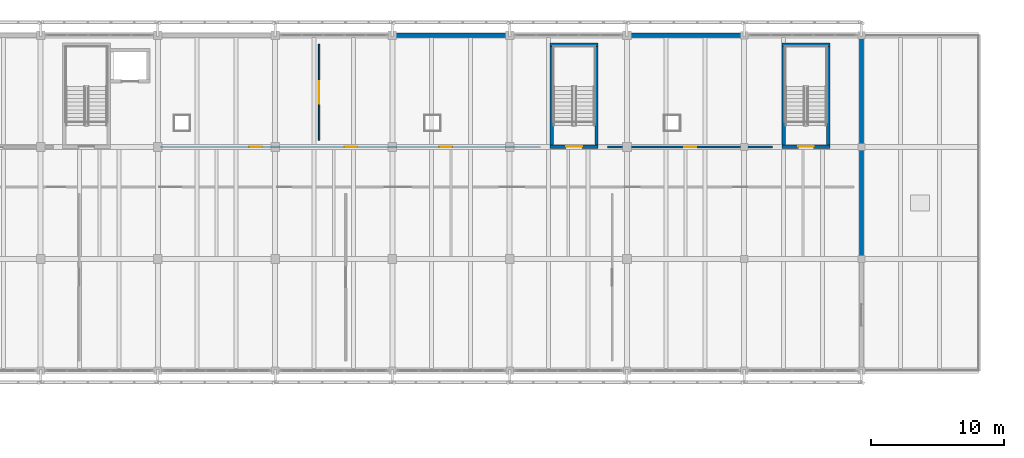
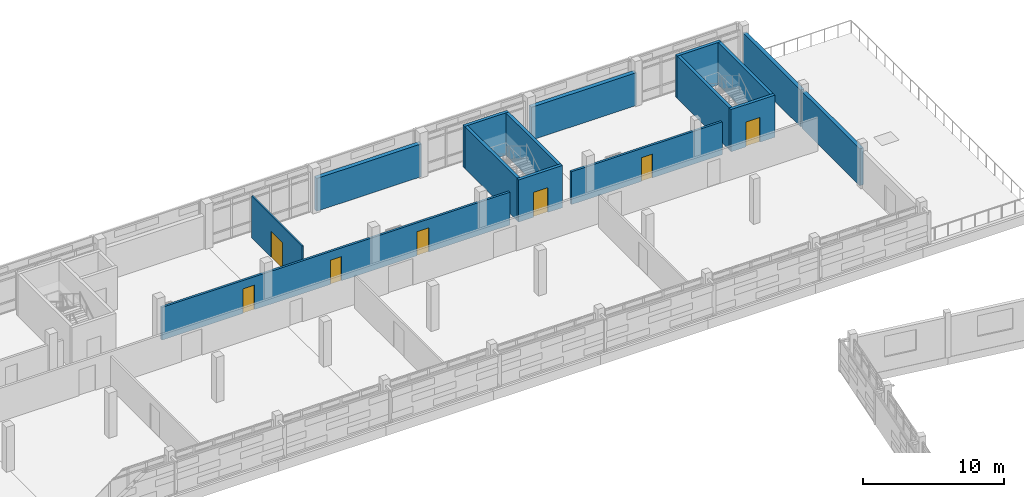
# One storey, part 101 of 117: 15 walls, 7 doors, 7 openings.
"""IFC4 building model written with IfcOpenShell, lengths in metres."""

from ifc_helpers import new_model, si_unit, direction, frame, frame_2d, origin, place, context, subcontext, project, spatial, rectangle, extrude, material, layer, layer_set, type_object, element, fill, save


model = new_model("IFC4")

# Units and contexts
model_context = context("Model", 3, precision=1e-05, world=origin(), true_north=direction((0.0, 1.0)))
body_context = subcontext(model_context, "Body", "Model", "MODEL_VIEW")
ifc_project = project(units=[si_unit("LENGTHUNIT", "METRE"), si_unit("AREAUNIT", "SQUARE_METRE"), si_unit("VOLUMEUNIT", "CUBIC_METRE"), si_unit("PLANEANGLEUNIT", "RADIAN"), si_unit("MASSUNIT", "GRAM", prefix="KILO")], contexts=[model_context])

# Site, building, storey
site_placement = place(None, origin())
site = spatial("IfcSite", under=ifc_project, at=site_placement, CompositionType="ELEMENT")
building_placement = place(site_placement, origin())
building = spatial("IfcBuilding", under=site, at=building_placement, Name="Cinderway Yard Community Centre", CompositionType="ELEMENT")
storey_placement = place(building_placement, frame((0.0, 0.0, 9.0)))
storey = spatial("IfcBuildingStorey", under=building, at=storey_placement, Name="L02", CompositionType="ELEMENT", Elevation=9.0)

# Walls
ifc_material_1 = material(Name="Brick Masonry", Category="masonry")
ifc_layer_1 = layer(ifc_material_1, 0.300048828125, Name="Brick Masonry")
ifc_layer_set_1 = layer_set([ifc_layer_1], Name="Brick Masonry")
wall_type_1 = type_object("IfcWallType", Name="ENV-WAL-EXT300", PredefinedType="SOLIDWALL", material=ifc_layer_set_1)
wall_1_placement = place(storey_placement, frame((136.800048828125, 98.5, 0.0), z_axis=(0.0, 0.0, 1.0), x_axis=(0.0, 1.0, 0.0)))
element("IfcWall", 1, at=wall_1_placement, inside=storey, type_object=wall_type_1, Name="V4 East End Wall ENV-WAL-L02-0164", PredefinedType="SOLIDWALL", context=body_context, shape_type="SweptSolid", body=[
    extrude(rectangle(XDim=8.199951171875, YDim=0.300048828125, at=frame_2d((4.10009765625, 0.0))), origin(), (0.0, 0.0, 1.0), 3.195068359375),
])
wall_2_placement = place(storey_placement, frame((136.800048828125, 106.89990234375, 0.0), z_axis=(0.0, 0.0, 1.0), x_axis=(0.0, 1.0, 0.0)))
element("IfcWall", 2, at=wall_2_placement, inside=storey, type_object=wall_type_1, Name="V4 East End Wall ENV-WAL-L02-0165", PredefinedType="SOLIDWALL", context=body_context, shape_type="SweptSolid", body=[
    extrude(rectangle(XDim=8.2001953125, YDim=0.300048828125, at=frame_2d((4.10009765625, 0.0))), origin(), (0.0, 0.0, 1.0), 3.195068359375),
])
ifc_layer_2 = layer(ifc_material_1, 0.340087890625, Name="Brick Masonry")
ifc_layer_set_2 = layer_set([ifc_layer_2], Name="Brick Masonry")
wall_type_2 = type_object("IfcWallType", Name="ENV-WAL-EXT340", PredefinedType="SOLIDWALL", material=ifc_layer_set_2)
wall_3_placement = place(storey_placement, frame((101.699951171875, 115.199951171875, 0.0), z_axis=(0.0, 0.0, 1.0), x_axis=(1.0, 0.0, 0.0)))
element("IfcWall", 3, at=wall_3_placement, inside=storey, type_object=wall_type_2, Name="V4 Street Brick Facade Wall ENV-WAL-L02-0159", PredefinedType="SOLIDWALL", context=body_context, shape_type="SweptSolid", body=[
    extrude(rectangle(XDim=8.60009765625, YDim=0.340087890625, at=frame_2d((4.300048828125, 0.0))), origin(), (0.0, 0.0, 1.0), 2.844970703125),
])
wall_4_placement = place(storey_placement, frame((119.300048828125, 115.199951171875, 0.0), z_axis=(0.0, 0.0, 1.0), x_axis=(1.0, 0.0, 0.0)))
element("IfcWall", 4, at=wall_4_placement, inside=storey, type_object=wall_type_2, Name="V4 Street Brick Facade Wall ENV-WAL-L02-0160", PredefinedType="SOLIDWALL", context=body_context, shape_type="SweptSolid", body=[
    extrude(rectangle(XDim=8.599853515625, YDim=0.340087890625, at=frame_2d((4.2998046875, 0.0))), origin(), (0.0, 0.0, 1.0), 2.844970703125),
])

# Wall, opening, door
ifc_material_2 = material(Name="Gypsum Board Partition", Category="gypsum")
ifc_layer_3 = layer(ifc_material_2, 0.1201171875, Name="Gypsum Board Partition")
ifc_layer_set_3 = layer_set([ifc_layer_3], Name="Gypsum Board Partition")
wall_type_3 = type_object("IfcWallType", Name="INT-WAL-PRT120", PredefinedType="PARTITIONING", material=ifc_layer_set_3)
wall_5_placement = place(storey_placement, frame((96.10009765625, 107.300048828125, 0.0), z_axis=(0.0, 0.0, 1.0), x_axis=(0.0, 1.0, 0.0)))
wall_5 = element("IfcWall", 5, at=wall_5_placement, inside=storey, type_object=wall_type_3, Name="V4 L02 North Room Partition INT-PRT-L02-0315", PredefinedType="PARTITIONING", context=body_context, shape_type="SweptSolid", body=[
    extrude(rectangle(XDim=7.199951171875, YDim=0.1201171875, at=frame_2d((3.60009765625, 0.0))), origin(), (0.0, 0.0, 1.0), 3.64501953125),
])
opening_1_placement = place(wall_5_placement, frame((2.760009765625, 0.0, 0.0)))
opening_1 = element("IfcOpeningElement", 6, at=opening_1_placement, cuts=wall_5, Name="Opening D-16", PredefinedType="OPENING", context=body_context, shape_type="SweptSolid", body=[
    extrude(rectangle(XDim=1.679931640625, YDim=2.260009765625, at=frame_2d((0.83984375, 1.1298828125))), frame((0.0, 0.070068359375, 0.0), z_axis=(0.0, -1.0, 0.0), x_axis=(1.0, 0.0, 0.0)), (0.0, 0.0, 1.0), 0.14013671875),
])
ifc_material_3 = material(Name="Hardwood Timber", Category="wood")
door_type_1 = type_object("IfcDoorType", Name="INT-DOR-LIB168", OperationType="DOUBLE_DOOR_SINGLE_SWING", PredefinedType="DOOR", material=ifc_material_3)
door_1_placement = place(opening_1_placement, origin())
door_1 = element("IfcDoor", 7, at=door_1_placement, inside=storey, type_object=door_type_1, Name="Room door INT-DOR-L02-0229", OperationType="DOUBLE_DOOR_SINGLE_SWING", OverallHeight=2.260009765625, OverallWidth=1.679931640625, PredefinedType="DOOR", context=body_context, shape_type="SweptSolid", body=[
    extrude(rectangle(XDim=1.679931640625, YDim=2.260009765625, at=frame_2d((0.83984375, 1.1298828125))), frame((0.0, 0.02490234375, 0.0), z_axis=(0.0, -1.0, 0.0), x_axis=(1.0, 0.0, 0.0)), (0.0, 0.0, 1.0), 0.050048828125),
])
fill(opening_1, door_1)

# Wall, openings, doors
ifc_layer_4 = layer(ifc_material_1, 0.179931640625, Name="Brick Masonry")
ifc_layer_set_4 = layer_set([ifc_layer_4], Name="Brick Masonry")
wall_type_4 = type_object("IfcWallType", Name="INT-WAL-PRT180", PredefinedType="PARTITIONING", material=ifc_layer_set_4)
wall_6_placement = place(storey_placement, frame((84.199951171875, 106.800048828125, 0.0), z_axis=(0.0, 0.0, 1.0), x_axis=(1.0, 0.0, 0.0)))
wall_6 = element("IfcWall", 8, at=wall_6_placement, inside=storey, type_object=wall_type_4, Name="V4 L02 North Corridor Spine INT-PRT-L02-0308", PredefinedType="PARTITIONING", context=body_context, shape_type="SweptSolid", body=[
    extrude(rectangle(XDim=28.530029296875, YDim=0.179931640625, at=frame_2d((14.26513671875, 0.0))), origin(), (0.0, 0.0, 1.0), 2.844970703125),
])
opening_2_placement = place(wall_6_placement, frame((6.657958984375, 0.0, 0.0)))
opening_2 = element("IfcOpeningElement", 9, at=opening_2_placement, cuts=wall_6, Name="Opening D-07", PredefinedType="OPENING", context=body_context, shape_type="SweptSolid", body=[
    extrude(rectangle(XDim=0.949951171875, YDim=2.1201171875, at=frame_2d((0.47509765625, 1.06005859375))), frame((0.0, 0.099853515625, 0.0), z_axis=(0.0, -1.0, 0.0), x_axis=(1.0, 0.0, 0.0)), (0.0, 0.0, 1.0), 0.199951171875),
])
opening_3_placement = place(wall_6_placement, frame((13.804931640625, 0.0, 0.0)))
opening_3 = element("IfcOpeningElement", 10, at=opening_3_placement, cuts=wall_6, Name="Opening D-08", PredefinedType="OPENING", context=body_context, shape_type="SweptSolid", body=[
    extrude(rectangle(XDim=0.919921875, YDim=2.10009765625, at=frame_2d((0.4599609375, 1.050048828125))), frame((0.0, 0.099853515625, 0.0), z_axis=(0.0, -1.0, 0.0), x_axis=(1.0, 0.0, 0.0)), (0.0, 0.0, 1.0), 0.199951171875),
])
opening_4_placement = place(wall_6_placement, frame((20.9169921875, 0.0, 0.0)))
opening_4 = element("IfcOpeningElement", 11, at=opening_4_placement, cuts=wall_6, Name="Opening D-09", PredefinedType="OPENING", context=body_context, shape_type="SweptSolid", body=[
    extrude(rectangle(XDim=0.9599609375, YDim=2.080078125, at=frame_2d((0.47998046875, 1.0400390625))), frame((0.0, 0.099853515625, 0.0), z_axis=(0.0, -1.0, 0.0), x_axis=(1.0, 0.0, 0.0)), (0.0, 0.0, 1.0), 0.199951171875),
])
door_type_2 = type_object("IfcDoorType", Name="INT-DOR-OFF092", OperationType="NOTDEFINED", PredefinedType="DOOR", material=ifc_material_3)
door_2_placement = place(opening_3_placement, origin())
door_2 = element("IfcDoor", 12, at=door_2_placement, inside=storey, type_object=door_type_2, Name="Room door INT-DOR-L02-0221", OperationType="SINGLE_SWING_RIGHT", OverallHeight=2.10009765625, OverallWidth=0.919921875, PredefinedType="DOOR", context=body_context, shape_type="SweptSolid", body=[
    extrude(rectangle(XDim=0.919921875, YDim=2.10009765625, at=frame_2d((0.4599609375, 1.050048828125))), frame((0.0, 0.02490234375, 0.0), z_axis=(0.0, -1.0, 0.0), x_axis=(1.0, 0.0, 0.0)), (0.0, 0.0, 1.0), 0.050048828125),
])
fill(opening_3, door_2)
door_type_3 = type_object("IfcDoorType", Name="INT-DOR-OFF095", OperationType="NOTDEFINED", PredefinedType="DOOR", material=ifc_material_3)
door_3_placement = place(opening_2_placement, origin())
door_3 = element("IfcDoor", 13, at=door_3_placement, inside=storey, type_object=door_type_3, Name="Room door INT-DOR-L02-0220", OperationType="SINGLE_SWING_LEFT", OverallHeight=2.1201171875, OverallWidth=0.949951171875, PredefinedType="DOOR", context=body_context, shape_type="SweptSolid", body=[
    extrude(rectangle(XDim=0.949951171875, YDim=2.1201171875, at=frame_2d((0.47509765625, 1.06005859375))), frame((0.0, 0.02490234375, 0.0), z_axis=(0.0, -1.0, 0.0), x_axis=(1.0, 0.0, 0.0)), (0.0, 0.0, 1.0), 0.050048828125),
])
fill(opening_2, door_3)
door_type_4 = type_object("IfcDoorType", Name="INT-DOR-SAN096", OperationType="NOTDEFINED", PredefinedType="DOOR", material=ifc_material_3)
door_4_placement = place(opening_4_placement, origin())
door_4 = element("IfcDoor", 14, at=door_4_placement, inside=storey, type_object=door_type_4, Name="Room door INT-DOR-L02-0222", OperationType="SINGLE_SWING_LEFT", OverallHeight=2.080078125, OverallWidth=0.9599609375, PredefinedType="DOOR", context=body_context, shape_type="SweptSolid", body=[
    extrude(rectangle(XDim=0.9599609375, YDim=2.080078125, at=frame_2d((0.47998046875, 1.0400390625))), frame((0.0, 0.02490234375, 0.0), z_axis=(0.0, -1.0, 0.0), x_axis=(1.0, 0.0, 0.0)), (0.0, 0.0, 1.0), 0.050048828125),
])
fill(opening_4, door_4)

# Wall, opening, door
wall_7_placement = place(storey_placement, frame((117.75, 106.800048828125, 0.0), z_axis=(0.0, 0.0, 1.0), x_axis=(1.0, 0.0, 0.0)))
wall_7 = element("IfcWall", 15, at=wall_7_placement, inside=storey, type_object=wall_type_4, Name="V4 L02 North Corridor Spine INT-PRT-L02-0309", PredefinedType="PARTITIONING", context=body_context, shape_type="SweptSolid", body=[
    extrude(rectangle(XDim=12.3798828125, YDim=0.179931640625, at=frame_2d((6.18994140625, 0.0))), origin(), (0.0, 0.0, 1.0), 2.844970703125),
])
opening_5_placement = place(wall_7_placement, frame((5.739990234375, 0.0, 0.0)))
opening_5 = element("IfcOpeningElement", 16, at=opening_5_placement, cuts=wall_7, Name="Opening D-10", PredefinedType="OPENING", context=body_context, shape_type="SweptSolid", body=[
    extrude(rectangle(XDim=0.89990234375, YDim=2.06005859375, at=frame_2d((0.449951171875, 1.030029296875))), frame((0.0, 0.099853515625, 0.0), z_axis=(0.0, -1.0, 0.0), x_axis=(1.0, 0.0, 0.0)), (0.0, 0.0, 1.0), 0.199951171875),
])
door_type_5 = type_object("IfcDoorType", Name="INT-DOR-SAN090", OperationType="NOTDEFINED", PredefinedType="DOOR", material=ifc_material_3)
door_5_placement = place(opening_5_placement, origin())
door_5 = element("IfcDoor", 17, at=door_5_placement, inside=storey, type_object=door_type_5, Name="Room door INT-DOR-L02-0223", OperationType="SINGLE_SWING_RIGHT", OverallHeight=2.06005859375, OverallWidth=0.89990234375, PredefinedType="DOOR", context=body_context, shape_type="SweptSolid", body=[
    extrude(rectangle(XDim=0.89990234375, YDim=2.06005859375, at=frame_2d((0.449951171875, 1.030029296875))), frame((0.0, 0.02490234375, 0.0), z_axis=(0.0, -1.0, 0.0), x_axis=(1.0, 0.0, 0.0)), (0.0, 0.0, 1.0), 0.050048828125),
])
fill(opening_5, door_5)

ifc_material_4 = material(Name="Concrete C40/50", Category="concrete")
ifc_layer_5 = layer(ifc_material_4, 0.25, Name="Concrete C40/50")
ifc_layer_set_5 = layer_set([ifc_layer_5], Name="Concrete C40/50")
wall_type_5 = type_object("IfcWallType", Name="INT-WAL-SHR250", PredefinedType="SHEAR", material=ifc_layer_set_5)
wall_8_placement = place(storey_placement, frame((117.044921875, 106.830078125, 0.0), z_axis=(0.0, 0.0, 1.0), x_axis=(-1.0, 0.0, 0.0)))
wall_8 = element("IfcWall", 18, at=wall_8_placement, inside=storey, type_object=wall_type_5, Name="Stair ST-03 Entry Wall INT-WAL-L02-0093", PredefinedType="SHEAR", context=body_context, shape_type="SweptSolid", body=[
    extrude(rectangle(XDim=3.60986328125, YDim=0.25, at=frame_2d((1.804931640625, 0.0))), origin(), (0.0, 0.0, 1.0), 3.659912109375),
])
opening_6_placement = place(wall_8_placement, frame((1.205078125, 0.0, 0.0)))
opening_6 = element("IfcOpeningElement", 19, at=opening_6_placement, cuts=wall_8, Name="Opening D-ST1", PredefinedType="OPENING", context=body_context, shape_type="SweptSolid", body=[
    extrude(rectangle(XDim=1.199951171875, YDim=2.14990234375, at=frame_2d((0.60009765625, 1.074951171875))), frame((0.0, 0.135009765625, 0.0), z_axis=(0.0, -1.0, 0.0), x_axis=(1.0, 0.0, 0.0)), (0.0, 0.0, 1.0), 0.27001953125),
])
ifc_material_5 = material(Name="Painted Galvanised Steel", Category="steel")
door_type_6 = type_object("IfcDoorType", Name="INT-DOR-ST120", OperationType="NOTDEFINED", PredefinedType="DOOR", material=ifc_material_5)
door_6_placement = place(opening_6_placement, origin())
door_6 = element("IfcDoor", 20, at=door_6_placement, inside=storey, type_object=door_type_6, Name="Core door INT-DOR-L02-0027", OperationType="SINGLE_SWING_LEFT", OverallHeight=2.14990234375, OverallWidth=1.199951171875, PredefinedType="DOOR", context=body_context, shape_type="SweptSolid", body=[
    extrude(rectangle(XDim=1.199951171875, YDim=2.14990234375, at=frame_2d((0.60009765625, 1.074951171875))), frame((0.0, 0.02490234375, 0.0), z_axis=(0.0, -1.0, 0.0), x_axis=(1.0, 0.0, 0.0)), (0.0, 0.0, 1.0), 0.050048828125),
])
fill(opening_6, door_6)

# Walls
wall_9_placement = place(storey_placement, frame((113.43505859375, 114.469970703125, 0.0), z_axis=(0.0, 0.0, 1.0), x_axis=(1.0, 0.0, 0.0)))
element("IfcWall", 21, at=wall_9_placement, inside=storey, type_object=wall_type_5, Name="Stair ST-03 Back Wall INT-WAL-L02-0094", PredefinedType="SHEAR", context=body_context, shape_type="SweptSolid", body=[
    extrude(rectangle(XDim=3.60986328125, YDim=0.25, at=frame_2d((1.804931640625, 0.0))), origin(), (0.0, 0.0, 1.0), 3.659912109375),
])
for number, where, z_axis, x_axis, name in (
    (22, (113.56005859375, 106.955078125, 0.0), (0.0, 0.0, 1.0), (0.0, 1.0, 0.0), "Stair ST-03 Side Wall L INT-WAL-L02-0095"),
    (23, (116.919921875, 114.344970703125, 0.0), (0.0, 0.0, 1.0), (0.0, -1.0, 0.0), "Stair ST-03 Side Wall R INT-WAL-L02-0096"),
):
    element("IfcWall", number, at=place(storey_placement, frame(where, z_axis=z_axis, x_axis=x_axis)), inside=storey, type_object=wall_type_5, Name=name, PredefinedType="SHEAR", context=body_context, shape_type="SweptSolid", body=[
        extrude(rectangle(XDim=7.389892578125, YDim=0.25, at=frame_2d((3.69482421875, 0.0))), origin(), (0.0, 0.0, 1.0), 3.659912109375),
    ])

# Wall, opening, door
wall_10_placement = place(storey_placement, frame((134.445068359375, 106.830078125, 0.0), z_axis=(0.0, 0.0, 1.0), x_axis=(-1.0, 0.0, 0.0)))
wall_10 = element("IfcWall", 24, at=wall_10_placement, inside=storey, type_object=wall_type_5, Name="Stair ST-04 Entry Wall INT-WAL-L02-0117", PredefinedType="SHEAR", context=body_context, shape_type="SweptSolid", body=[
    extrude(rectangle(XDim=3.610107421875, YDim=0.25, at=frame_2d((1.80517578125, 0.0))), origin(), (0.0, 0.0, 1.0), 3.659912109375),
])
opening_7_placement = place(wall_10_placement, frame((1.235107421875, 0.0, 0.0)))
opening_7 = element("IfcOpeningElement", 25, at=opening_7_placement, cuts=wall_10, Name="Opening D-ST2", PredefinedType="OPENING", context=body_context, shape_type="SweptSolid", body=[
    extrude(rectangle(XDim=1.139892578125, YDim=2.14990234375, at=frame_2d((0.56982421875, 1.074951171875))), frame((0.0, 0.135009765625, 0.0), z_axis=(0.0, -1.0, 0.0), x_axis=(1.0, 0.0, 0.0)), (0.0, 0.0, 1.0), 0.27001953125),
])
door_type_7 = type_object("IfcDoorType", Name="INT-DOR-ST114", OperationType="NOTDEFINED", PredefinedType="DOOR", material=ifc_material_5)
door_7_placement = place(opening_7_placement, origin())
door_7 = element("IfcDoor", 26, at=door_7_placement, inside=storey, type_object=door_type_7, Name="Core door INT-DOR-L02-0033", OperationType="SINGLE_SWING_LEFT", OverallHeight=2.14990234375, OverallWidth=1.139892578125, PredefinedType="DOOR", context=body_context, shape_type="SweptSolid", body=[
    extrude(rectangle(XDim=1.139892578125, YDim=2.14990234375, at=frame_2d((0.56982421875, 1.074951171875))), frame((0.0, 0.02490234375, 0.0), z_axis=(0.0, -1.0, 0.0), x_axis=(1.0, 0.0, 0.0)), (0.0, 0.0, 1.0), 0.050048828125),
])
fill(opening_7, door_7)

# Walls
wall_11_placement = place(storey_placement, frame((130.8349609375, 114.469970703125, 0.0), z_axis=(0.0, 0.0, 1.0), x_axis=(1.0, 0.0, 0.0)))
element("IfcWall", 27, at=wall_11_placement, inside=storey, type_object=wall_type_5, Name="Stair ST-04 Back Wall INT-WAL-L02-0118", PredefinedType="SHEAR", context=body_context, shape_type="SweptSolid", body=[
    extrude(rectangle(XDim=3.610107421875, YDim=0.25, at=frame_2d((1.80517578125, 0.0))), origin(), (0.0, 0.0, 1.0), 3.659912109375),
])
for number, where, z_axis, x_axis, name in (
    (28, (130.9599609375, 106.955078125, 0.0), (0.0, 0.0, 1.0), (0.0, 1.0, 0.0), "Stair ST-04 Side Wall L INT-WAL-L02-0119"),
    (29, (134.320068359375, 114.344970703125, 0.0), (0.0, 0.0, 1.0), (0.0, -1.0, 0.0), "Stair ST-04 Side Wall R INT-WAL-L02-0120"),
):
    element("IfcWall", number, at=place(storey_placement, frame(where, z_axis=z_axis, x_axis=x_axis)), inside=storey, type_object=wall_type_5, Name=name, PredefinedType="SHEAR", context=body_context, shape_type="SweptSolid", body=[
        extrude(rectangle(XDim=7.389892578125, YDim=0.25, at=frame_2d((3.69482421875, 0.0))), origin(), (0.0, 0.0, 1.0), 3.659912109375),
    ])

save(model, "model.ifc")
